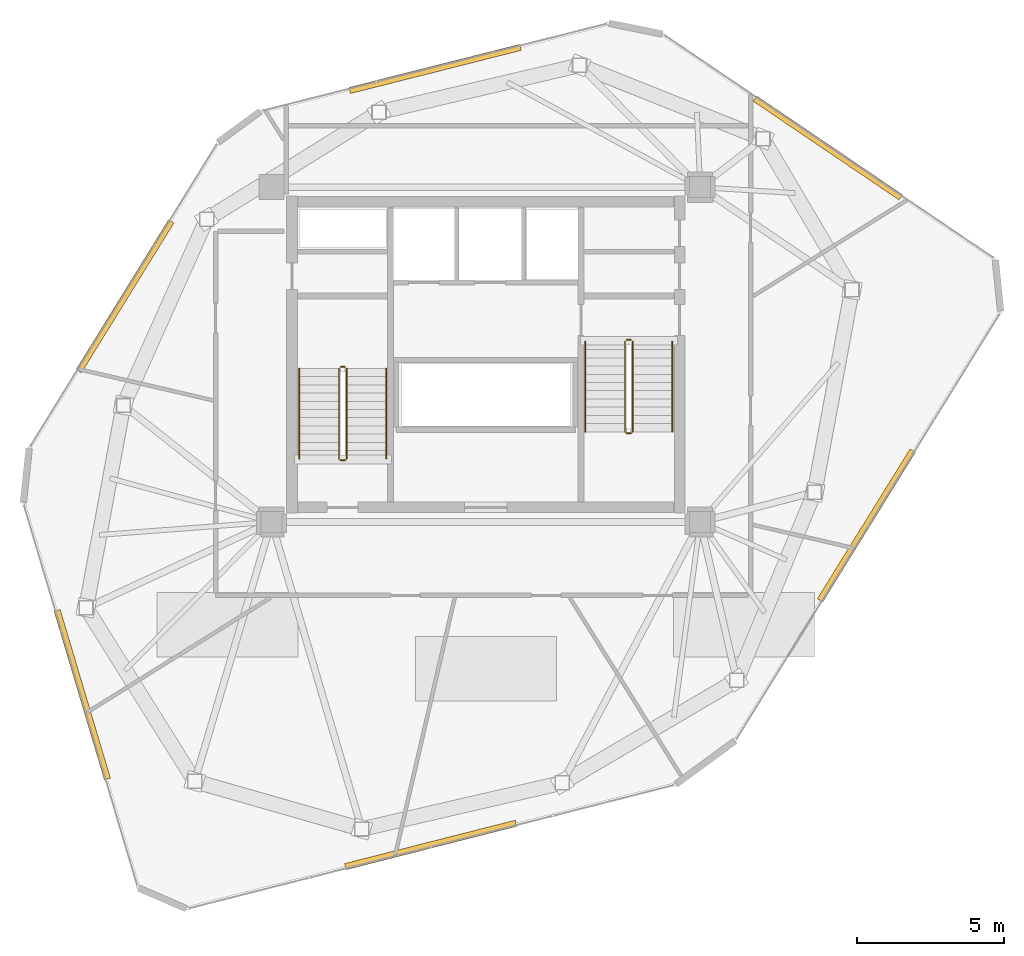
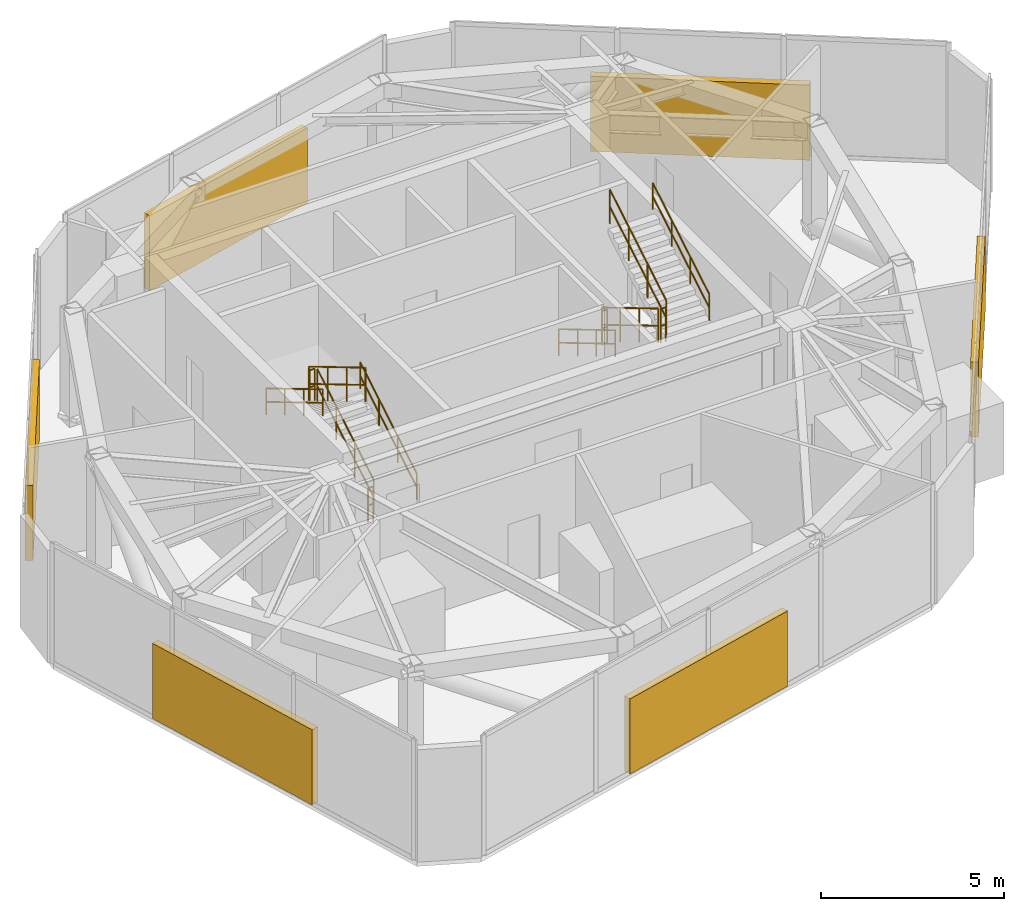
# One storey, part 20 of 21: 12 railings, 6 shading devices.
"""IFC4 building model written with IfcOpenShell, lengths in metres."""

from ifc_helpers import new_model, si_unit, direction, frame, origin, origin_2d, place, context, subcontext, project, spatial, rectangle, circle, extrude, source, transform, mapped, material, type_object, type_shapes, element, save


model = new_model("IFC4")

# Units and contexts
model_context = context("Model", 3, precision=1e-05, world=origin(), true_north=direction((0.0, 1.0)))
body_context = subcontext(model_context, "Body", "Model", "MODEL_VIEW")
ifc_project = project(units=[si_unit("LENGTHUNIT", "METRE"), si_unit("AREAUNIT", "SQUARE_METRE"), si_unit("VOLUMEUNIT", "CUBIC_METRE"), si_unit("PLANEANGLEUNIT", "RADIAN"), si_unit("MASSUNIT", "GRAM", prefix="KILO")], contexts=[model_context])

# Site, building, storey
site_placement = place(None, origin())
site = spatial("IfcSite", under=ifc_project, at=site_placement, CompositionType="ELEMENT")
building_placement = place(site_placement, origin())
building = spatial("IfcBuilding", under=site, at=building_placement, Name="Talar Marvaseh", CompositionType="ELEMENT")
storey_placement = place(building_placement, frame((0.0, 0.0, 300.0)))
storey = spatial("IfcBuildingStorey", under=building, at=storey_placement, Name="L80", CompositionType="ELEMENT", Elevation=300.0)

# Railings
ifc_material_1 = material(Name="Stainless Steel Grade 316", Category="steel")
railing_type_1 = type_object("IfcRailingType", Name="Brushed Stainless Wall Pitch Handrail 900", PredefinedType="HANDRAIL", material=ifc_material_1)
railing_1_placement = place(storey_placement, frame((22.610107421875, 27.64990234375, 0.166748046875)))
element("IfcRailing", 1, at=railing_1_placement, inside=storey, type_object=railing_type_1, Name="L80 ST-1 stair handrail 1", PredefinedType="HANDRAIL", context=body_context, shape_type="SweptSolid", body=[
    extrude(circle(Radius=0.02392578125, at=origin_2d()), frame((0.0, 0.0, 0.8759765625), z_axis=(0.0, 0.859308565015, 0.511457515432), x_axis=(-1.0, 0.0, 0.0)), (0.0, 0.0, 1.0), 3.58447265625),
    extrude(circle(Radius=0.02392578125, at=origin_2d()), frame((0.0, 0.0, 0.42578125), z_axis=(0.0, 0.859308565015, 0.511457515432), x_axis=(-1.0, 0.0, 0.0)), (0.0, 0.0, 1.0), 3.58447265625),
    extrude(circle(Radius=0.02099609375, at=origin_2d()), origin(), (0.0, 0.0, 1.0), 0.851806640625),
    extrude(circle(Radius=0.02099609375, at=origin_2d()), frame((0.0, 1.026611328125, 0.611083984375)), (0.0, 0.0, 1.0), 0.851806640625),
    extrude(circle(Radius=0.02099609375, at=origin_2d()), frame((0.0, 2.053466796875, 1.22216796875)), (0.0, 0.0, 1.0), 0.851806640625),
    extrude(circle(Radius=0.02099609375, at=origin_2d()), frame((0.0, 3.080078125, 1.833251953125)), (0.0, 0.0, 1.0), 0.851806640625),
])
railing_2_placement = place(storey_placement, frame((19.64990234375, 30.72998046875, 2.166748046875)))
element("IfcRailing", 2, at=railing_2_placement, inside=storey, type_object=railing_type_1, Name="L80 ST-1 stair handrail 2", PredefinedType="HANDRAIL", context=body_context, shape_type="SweptSolid", body=[
    extrude(circle(Radius=0.02392578125, at=origin_2d()), frame((0.0, 0.0, 0.8759765625), z_axis=(0.0, -0.859308565015, 0.511457515432), x_axis=(1.0, 0.0, 0.0)), (0.0, 0.0, 1.0), 3.58447265625),
    extrude(circle(Radius=0.02392578125, at=origin_2d()), frame((0.0, 0.0, 0.42578125), z_axis=(0.0, -0.859308565015, 0.511457515432), x_axis=(1.0, 0.0, 0.0)), (0.0, 0.0, 1.0), 3.58447265625),
    extrude(circle(Radius=0.02099609375, at=origin_2d()), origin(), (0.0, 0.0, 1.0), 0.851806640625),
    extrude(circle(Radius=0.02099609375, at=origin_2d()), frame((0.0, -1.026611328125, 0.611083984375)), (0.0, 0.0, 1.0), 0.851806640625),
    extrude(circle(Radius=0.02099609375, at=origin_2d()), frame((0.0, -2.053466796875, 1.22216796875)), (0.0, 0.0, 1.0), 0.851806640625),
    extrude(circle(Radius=0.02099609375, at=origin_2d()), frame((0.0, -3.080078125, 1.833251953125)), (0.0, 0.0, 1.0), 0.851806640625),
])
railing_3_placement = place(storey_placement, frame((29.389892578125, 31.64990234375, 0.166748046875)))
element("IfcRailing", 3, at=railing_3_placement, inside=storey, type_object=railing_type_1, Name="L80 ST-2 stair handrail 1", PredefinedType="HANDRAIL", context=body_context, shape_type="SweptSolid", body=[
    extrude(circle(Radius=0.02392578125, at=origin_2d()), frame((0.0, 0.0, 0.8759765625), z_axis=(0.0, -0.859290745958, 0.51148745235), x_axis=(1.0, 0.0, 0.0)), (0.0, 0.0, 1.0), 3.584228515625),
    extrude(circle(Radius=0.02392578125, at=origin_2d()), frame((0.0, 0.0, 0.42578125), z_axis=(0.0, -0.859290745958, 0.51148745235), x_axis=(1.0, 0.0, 0.0)), (0.0, 0.0, 1.0), 3.584228515625),
    extrude(circle(Radius=0.02099609375, at=origin_2d()), origin(), (0.0, 0.0, 1.0), 0.851806640625),
    extrude(circle(Radius=0.02099609375, at=origin_2d()), frame((0.0, -1.026611328125, 0.611083984375)), (0.0, 0.0, 1.0), 0.851806640625),
    extrude(circle(Radius=0.02099609375, at=origin_2d()), frame((0.0, -2.05322265625, 1.22216796875)), (0.0, 0.0, 1.0), 0.851806640625),
    extrude(circle(Radius=0.02099609375, at=origin_2d()), frame((0.0, -3.079833984375, 1.833251953125)), (0.0, 0.0, 1.0), 0.851806640625),
])
railing_4_placement = place(storey_placement, frame((32.35009765625, 28.570068359375, 2.166748046875)))
element("IfcRailing", 4, at=railing_4_placement, inside=storey, type_object=railing_type_1, Name="L80 ST-2 stair handrail 2", PredefinedType="HANDRAIL", context=body_context, shape_type="SweptSolid", body=[
    extrude(circle(Radius=0.02392578125, at=origin_2d()), frame((0.0, 0.0, 0.8759765625), z_axis=(0.0, 0.859290745958, 0.51148745235), x_axis=(-1.0, 0.0, 0.0)), (0.0, 0.0, 1.0), 3.584228515625),
    extrude(circle(Radius=0.02392578125, at=origin_2d()), frame((0.0, 0.0, 0.42578125), z_axis=(0.0, 0.859290745958, 0.51148745235), x_axis=(-1.0, 0.0, 0.0)), (0.0, 0.0, 1.0), 3.584228515625),
    extrude(circle(Radius=0.02099609375, at=origin_2d()), origin(), (0.0, 0.0, 1.0), 0.851806640625),
    extrude(circle(Radius=0.02099609375, at=origin_2d()), frame((0.0, 1.026611328125, 0.611083984375)), (0.0, 0.0, 1.0), 0.851806640625),
    extrude(circle(Radius=0.02099609375, at=origin_2d()), frame((0.0, 2.05322265625, 1.22216796875)), (0.0, 0.0, 1.0), 0.851806640625),
    extrude(circle(Radius=0.02099609375, at=origin_2d()), frame((0.0, 3.079833984375, 1.833251953125)), (0.0, 0.0, 1.0), 0.851806640625),
])
railing_type_2 = type_object("IfcRailingType", Name="Painted Steel Core Stair Well Guardrail 1150", PredefinedType="GUARDRAIL", material=ifc_material_1)
railing_5_placement = place(storey_placement, frame((21.260009765625, 27.64990234375, 0.166748046875)))
element("IfcRailing", 5, at=railing_5_placement, inside=storey, type_object=railing_type_2, Name="L80 ST-1 stair guard 1", PredefinedType="GUARDRAIL", context=body_context, shape_type="SweptSolid", body=[
    extrude(circle(Radius=0.02392578125, at=origin_2d()), frame((0.0, 0.0, 1.1259765625), z_axis=(0.0, 0.859308565015, 0.511457515432), x_axis=(-1.0, 0.0, 0.0)), (0.0, 0.0, 1.0), 3.58447265625),
    extrude(circle(Radius=0.02392578125, at=origin_2d()), frame((0.0, 0.0, 0.55078125), z_axis=(0.0, 0.859308565015, 0.511457515432), x_axis=(-1.0, 0.0, 0.0)), (0.0, 0.0, 1.0), 3.58447265625),
    extrude(circle(Radius=0.02099609375, at=origin_2d()), origin(), (0.0, 0.0, 1.0), 1.101806640625),
    extrude(circle(Radius=0.02099609375, at=origin_2d()), frame((0.0, 1.026611328125, 0.611083984375)), (0.0, 0.0, 1.0), 1.101806640625),
    extrude(circle(Radius=0.02099609375, at=origin_2d()), frame((0.0, 2.053466796875, 1.22216796875)), (0.0, 0.0, 1.0), 1.101806640625),
    extrude(circle(Radius=0.02099609375, at=origin_2d()), frame((0.0, 3.080078125, 1.833251953125)), (0.0, 0.0, 1.0), 1.101806640625),
])
railing_6_placement = place(storey_placement, frame((21.2099609375, 30.780029296875, 2.0)))
element("IfcRailing", 6, at=railing_6_placement, inside=storey, type_object=railing_type_2, Name="L80 ST-1 stair guard 2", PredefinedType="GUARDRAIL", context=body_context, shape_type="SweptSolid", body=[
    extrude(circle(Radius=0.02392578125, at=origin_2d()), frame((0.0, 0.0, 1.1259765625), z_axis=(-1.0, 0.0, 0.0), x_axis=(0.0, -1.0, 0.0)), (0.0, 0.0, 1.0), 0.159912109375),
    extrude(circle(Radius=0.02392578125, at=origin_2d()), frame((0.0, 0.0, 0.55078125), z_axis=(-1.0, 0.0, 0.0), x_axis=(0.0, -1.0, 0.0)), (0.0, 0.0, 1.0), 0.159912109375),
    extrude(circle(Radius=0.02099609375, at=origin_2d()), origin(), (0.0, 0.0, 1.0), 1.101806640625),
    extrude(circle(Radius=0.02099609375, at=origin_2d()), frame((-0.159912109375, 0.0, 0.0)), (0.0, 0.0, 1.0), 1.101806640625),
])
railing_7_placement = place(storey_placement, frame((21.0, 30.72998046875, 2.166748046875)))
element("IfcRailing", 7, at=railing_7_placement, inside=storey, type_object=railing_type_2, Name="L80 ST-1 stair guard 3", PredefinedType="GUARDRAIL", context=body_context, shape_type="SweptSolid", body=[
    extrude(circle(Radius=0.02392578125, at=origin_2d()), frame((0.0, 0.0, 1.1259765625), z_axis=(0.0, -0.859308565015, 0.511457515432), x_axis=(1.0, 0.0, 0.0)), (0.0, 0.0, 1.0), 3.58447265625),
    extrude(circle(Radius=0.02392578125, at=origin_2d()), frame((0.0, 0.0, 0.55078125), z_axis=(0.0, -0.859308565015, 0.511457515432), x_axis=(1.0, 0.0, 0.0)), (0.0, 0.0, 1.0), 3.58447265625),
    extrude(circle(Radius=0.02099609375, at=origin_2d()), origin(), (0.0, 0.0, 1.0), 1.101806640625),
    extrude(circle(Radius=0.02099609375, at=origin_2d()), frame((0.0, -1.026611328125, 0.611083984375)), (0.0, 0.0, 1.0), 1.101806640625),
    extrude(circle(Radius=0.02099609375, at=origin_2d()), frame((0.0, -2.053466796875, 1.22216796875)), (0.0, 0.0, 1.0), 1.101806640625),
    extrude(circle(Radius=0.02099609375, at=origin_2d()), frame((0.0, -3.080078125, 1.833251953125)), (0.0, 0.0, 1.0), 1.101806640625),
])
railing_8_placement = place(storey_placement, frame((21.2099609375, 27.60009765625, 0.0)))
element("IfcRailing", 8, at=railing_8_placement, inside=storey, type_object=railing_type_2, Name="L80 ST-1 stair guard 4", PredefinedType="GUARDRAIL", context=body_context, shape_type="SweptSolid", body=[
    extrude(circle(Radius=0.02392578125, at=origin_2d()), frame((0.0, 0.0, 1.1259765625), z_axis=(-1.0, 0.0, 0.0), x_axis=(0.0, -1.0, 0.0)), (0.0, 0.0, 1.0), 0.159912109375),
    extrude(circle(Radius=0.02392578125, at=origin_2d()), frame((0.0, 0.0, 0.55078125), z_axis=(-1.0, 0.0, 0.0), x_axis=(0.0, -1.0, 0.0)), (0.0, 0.0, 1.0), 0.159912109375),
    extrude(circle(Radius=0.02099609375, at=origin_2d()), origin(), (0.0, 0.0, 1.0), 1.101806640625),
    extrude(circle(Radius=0.02099609375, at=origin_2d()), frame((-0.159912109375, 0.0, 0.0)), (0.0, 0.0, 1.0), 1.101806640625),
])
railing_9_placement = place(storey_placement, frame((30.739990234375, 31.64990234375, 0.166748046875)))
element("IfcRailing", 9, at=railing_9_placement, inside=storey, type_object=railing_type_2, Name="L80 ST-2 stair guard 1", PredefinedType="GUARDRAIL", context=body_context, shape_type="SweptSolid", body=[
    extrude(circle(Radius=0.02392578125, at=origin_2d()), frame((0.0, 0.0, 1.1259765625), z_axis=(0.0, -0.859290745958, 0.51148745235), x_axis=(1.0, 0.0, 0.0)), (0.0, 0.0, 1.0), 3.584228515625),
    extrude(circle(Radius=0.02392578125, at=origin_2d()), frame((0.0, 0.0, 0.55078125), z_axis=(0.0, -0.859290745958, 0.51148745235), x_axis=(1.0, 0.0, 0.0)), (0.0, 0.0, 1.0), 3.584228515625),
    extrude(circle(Radius=0.02099609375, at=origin_2d()), origin(), (0.0, 0.0, 1.0), 1.101806640625),
    extrude(circle(Radius=0.02099609375, at=origin_2d()), frame((0.0, -1.026611328125, 0.611083984375)), (0.0, 0.0, 1.0), 1.101806640625),
    extrude(circle(Radius=0.02099609375, at=origin_2d()), frame((0.0, -2.05322265625, 1.22216796875)), (0.0, 0.0, 1.0), 1.101806640625),
    extrude(circle(Radius=0.02099609375, at=origin_2d()), frame((0.0, -3.079833984375, 1.833251953125)), (0.0, 0.0, 1.0), 1.101806640625),
])
railing_10_placement = place(storey_placement, frame((30.7900390625, 28.52001953125, 2.0)))
element("IfcRailing", 10, at=railing_10_placement, inside=storey, type_object=railing_type_2, Name="L80 ST-2 stair guard 2", PredefinedType="GUARDRAIL", context=body_context, shape_type="SweptSolid", body=[
    extrude(circle(Radius=0.02392578125, at=origin_2d()), frame((0.0, 0.0, 1.1259765625), z_axis=(1.0, 0.0, 0.0), x_axis=(0.0, 1.0, 0.0)), (0.0, 0.0, 1.0), 0.159912109375),
    extrude(circle(Radius=0.02392578125, at=origin_2d()), frame((0.0, 0.0, 0.55078125), z_axis=(1.0, 0.0, 0.0), x_axis=(0.0, 1.0, 0.0)), (0.0, 0.0, 1.0), 0.159912109375),
    extrude(circle(Radius=0.02099609375, at=origin_2d()), origin(), (0.0, 0.0, 1.0), 1.101806640625),
    extrude(circle(Radius=0.02099609375, at=origin_2d()), frame((0.159912109375, 0.0, 0.0)), (0.0, 0.0, 1.0), 1.101806640625),
])
railing_11_placement = place(storey_placement, frame((31.0, 28.570068359375, 2.166748046875)))
element("IfcRailing", 11, at=railing_11_placement, inside=storey, type_object=railing_type_2, Name="L80 ST-2 stair guard 3", PredefinedType="GUARDRAIL", context=body_context, shape_type="SweptSolid", body=[
    extrude(circle(Radius=0.02392578125, at=origin_2d()), frame((0.0, 0.0, 1.1259765625), z_axis=(0.0, 0.859290745958, 0.51148745235), x_axis=(-1.0, 0.0, 0.0)), (0.0, 0.0, 1.0), 3.584228515625),
    extrude(circle(Radius=0.02392578125, at=origin_2d()), frame((0.0, 0.0, 0.55078125), z_axis=(0.0, 0.859290745958, 0.51148745235), x_axis=(-1.0, 0.0, 0.0)), (0.0, 0.0, 1.0), 3.584228515625),
    extrude(circle(Radius=0.02099609375, at=origin_2d()), origin(), (0.0, 0.0, 1.0), 1.101806640625),
    extrude(circle(Radius=0.02099609375, at=origin_2d()), frame((0.0, 1.026611328125, 0.611083984375)), (0.0, 0.0, 1.0), 1.101806640625),
    extrude(circle(Radius=0.02099609375, at=origin_2d()), frame((0.0, 2.05322265625, 1.22216796875)), (0.0, 0.0, 1.0), 1.101806640625),
    extrude(circle(Radius=0.02099609375, at=origin_2d()), frame((0.0, 3.079833984375, 1.833251953125)), (0.0, 0.0, 1.0), 1.101806640625),
])
railing_12_placement = place(storey_placement, frame((30.7900390625, 31.699951171875, 0.0)))
element("IfcRailing", 12, at=railing_12_placement, inside=storey, type_object=railing_type_2, Name="L80 ST-2 stair guard 4", PredefinedType="GUARDRAIL", context=body_context, shape_type="SweptSolid", body=[
    extrude(circle(Radius=0.02392578125, at=origin_2d()), frame((0.0, 0.0, 1.1259765625), z_axis=(1.0, 0.0, 0.0), x_axis=(0.0, 1.0, 0.0)), (0.0, 0.0, 1.0), 0.159912109375),
    extrude(circle(Radius=0.02392578125, at=origin_2d()), frame((0.0, 0.0, 0.55078125), z_axis=(1.0, 0.0, 0.0), x_axis=(0.0, 1.0, 0.0)), (0.0, 0.0, 1.0), 0.159912109375),
    extrude(circle(Radius=0.02099609375, at=origin_2d()), origin(), (0.0, 0.0, 1.0), 1.101806640625),
    extrude(circle(Radius=0.02099609375, at=origin_2d()), frame((0.159912109375, 0.0, 0.0)), (0.0, 0.0, 1.0), 1.101806640625),
])

# Shading devices
ifc_material_2 = material(Name="Anodised Champagne Bronze Aluminium", Category="aluminium")
shading_device_type = type_object("IfcShadingDeviceType", Name="Acoustic Weatherproof Plant Louvre Bank", PredefinedType="USERDEFINED", material=ifc_material_2)
shared_shape = source(origin(), body_context, "Body", "SweptSolid", [
    extrude(rectangle(XDim=6.0, YDim=0.219970703125, at=origin_2d()), origin(), (0.0, 0.0, 1.0), 2.5),
])
type_shapes(shading_device_type, [shared_shape])
for number, where, z_axis, x_axis, name in (
    (13, (12.25537109375, 19.615966796875, 0.0), (0.0, 0.0, 1.0), (-0.285688367405, 0.958322574465, 0.0), "L80 Acoustic Plant Louvre Screen"),
    (14, (13.711669921875, 33.188720703125, 0.0), (0.0, 0.0, 1.0), (0.525174629961, 0.850994481795, 0.0), "L80 Acoustic Plant Louvre Screen"),
    (15, (24.269775390625, 40.930419921875, 0.0), (0.0, 0.0, 1.0), (0.969530919263, 0.244968970675, 0.0), "L80 Acoustic Plant Louvre Screen"),
    (16, (37.652099609375, 38.237548828125, 0.0), (0.0, 0.0, 1.0), (0.828060334622, -0.560638994563, 0.0), "L80 Acoustic Plant Louvre Screen"),
    (17, (38.9638671875, 25.378173828125, 0.0), (0.0, 0.0, 1.0), (-0.526362330098, -0.850260370389, 0.0), "L80 Acoustic Plant Louvre Screen"),
    (18, (24.125244140625, 14.497802734375, 0.0), (0.0, 0.0, 1.0), (-0.96918793309, -0.246322451985, 0.0), "L80 Acoustic Plant Louvre Screen"),
):
    element("IfcShadingDevice", number, at=place(storey_placement, frame(where, z_axis=z_axis, x_axis=x_axis)), inside=storey, type_object=shading_device_type, Name=name, ObjectType="LOUVRE", PredefinedType="USERDEFINED", context=body_context, shape_type="MappedRepresentation", body=[
        mapped(shared_shape, transform((0.0, 0.0, 0.0), x_axis=(1.0, 0.0, 0.0), y_axis=(0.0, 1.0, 0.0), z_axis=(0.0, 0.0, 1.0), scale=1.0)),
    ])

save(model, "model.ifc")
